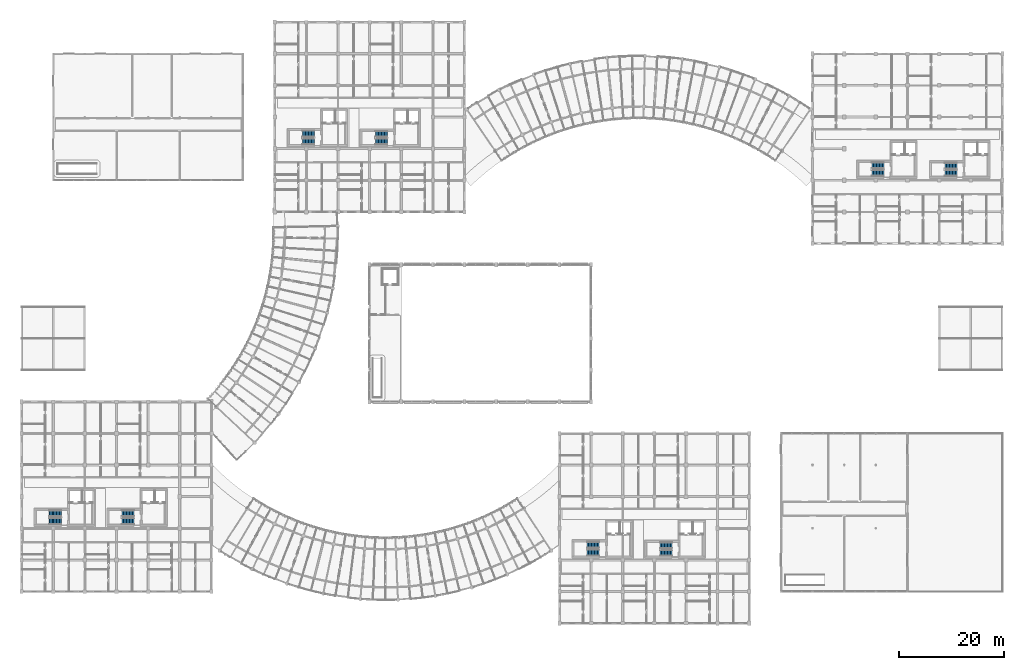
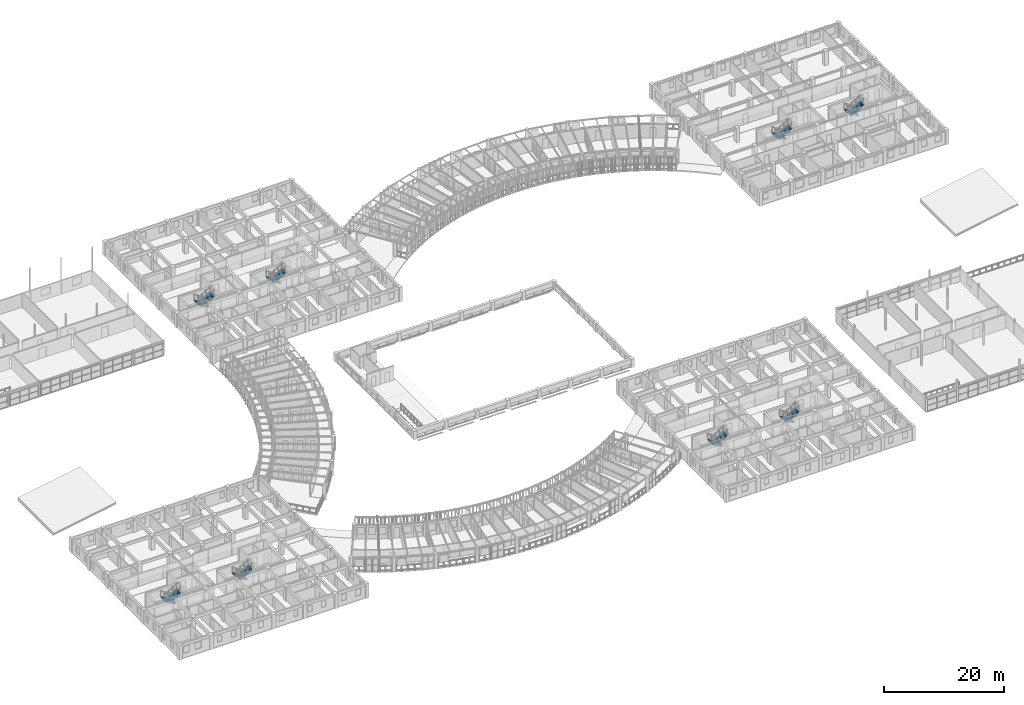
# One storey, part 116 of 137: 16 stair flights, 8 elements without a shape of their own.
"""IFC4 building model written with IfcOpenShell, lengths in metres."""

import ifcopenshell
import ifcopenshell.guid

model = None  # the IFC model being written
_history = None  # IfcOwnerHistory: only IFC2X3 demands one
_inside = {}  # id of a spatial element -> (the spatial element, [elements in it])
_under = {}  # id of a project, library or spatial element -> (it, [spatial elements below it])
_declared = {}  # id of a project -> (the project, [libraries it declares])
_typed = {}  # id of a type object -> (the type object, [elements of that type])
_made_of = {}  # id of a material, layer set ... -> (it, [elements and type objects made of it])


def new_model(schema):
    """Start an empty IFC model of exactly this schema.

    Asked for "IFC4X3", IfcOpenShell would pick the latest addendum, in which some entities
    have other attributes; the version numbers below select the first issue.
    IFC2X3 requires an IfcOwnerHistory on every rooted entity: one is made here for all.
    """
    global model, _history
    if schema == "IFC4X3":
        model = ifcopenshell.file(schema_version=(4, 3, 0, 0))
    else:
        model = ifcopenshell.file(schema=schema)
    _inside.clear()
    _under.clear()
    _declared.clear()
    _typed.clear()
    _made_of.clear()
    _history = None
    if model.schema == "IFC2X3":
        org = make("IfcOrganization", Name="unknown")
        user = make(
            "IfcPersonAndOrganization",
            ThePerson=make("IfcPerson", FamilyName="unknown"),
            TheOrganization=org,
        )
        app = make(
            "IfcApplication",
            ApplicationDeveloper=org,
            Version="unknown",
            ApplicationFullName="unknown",
            ApplicationIdentifier="unknown",
        )
        _history = make(
            "IfcOwnerHistory",
            OwningUser=user,
            OwningApplication=app,
            ChangeAction="ADDED",
            CreationDate=0,
        )
    return model


def make(cls, **values):
    """One entity of the class cls with the attributes given. An attribute that is None is left unset."""
    return model.create_entity(
        cls, **{name: value for name, value in values.items() if value is not None}
    )


def rooted(cls, **values):
    """An entity with a GlobalId (a new one), such as an element, a storey or a relation."""
    return make(cls, GlobalId=ifcopenshell.guid.new(), OwnerHistory=_history, **values)


def si_unit(unit_type, name, prefix=None):
    """IfcSIUnit, for example si_unit("LENGTHUNIT", "METRE", prefix="MILLI")."""
    return make("IfcSIUnit", UnitType=unit_type, Prefix=prefix, Name=name)


def assignment(units):
    """IfcUnitAssignment: the units of a project."""
    return None if units is None else make("IfcUnitAssignment", Units=units)


def point(xyz):
    """IfcCartesianPoint."""
    return None if xyz is None else make("IfcCartesianPoint", Coordinates=xyz)


def direction(xyz):
    """IfcDirection."""
    return None if xyz is None else make("IfcDirection", DirectionRatios=xyz)


def frame(location, z_axis=None, x_axis=None):
    """IfcAxis2Placement3D, a coordinate frame: its origin and axes. An axis left out is left unset."""
    return make(
        "IfcAxis2Placement3D",
        Location=point(location),
        Axis=direction(z_axis),
        RefDirection=direction(x_axis),
    )


def origin():
    """The frame at (0, 0, 0) with its axes left unset."""
    return frame((0.0, 0.0, 0.0))


def place(relative_to, where):
    """IfcLocalPlacement: puts the frame where relative to a parent placement (None: the world)."""
    return make(
        "IfcLocalPlacement", PlacementRelTo=relative_to, RelativePlacement=where
    )


def context(
    kind, dimensions, precision=None, world=None, true_north=None, identifier=None
):
    """IfcGeometricRepresentationContext, for example the 3D "Model" context."""
    return make(
        "IfcGeometricRepresentationContext",
        ContextIdentifier=identifier,
        ContextType=kind,
        CoordinateSpaceDimension=dimensions,
        Precision=precision,
        WorldCoordinateSystem=world,
        TrueNorth=true_north,
    )


def subcontext(parent, identifier, kind, view, scale=None):
    """IfcGeometricRepresentationSubContext, for example "Body" below "Model"."""
    return make(
        "IfcGeometricRepresentationSubContext",
        ContextIdentifier=identifier,
        ContextType=kind,
        ParentContext=parent,
        TargetScale=scale,
        TargetView=view,
    )


def project(units=None, contexts=None):
    """IfcProject with its units and contexts."""
    return rooted(
        "IfcProject",
        Name="project",
        RepresentationContexts=contexts,
        UnitsInContext=assignment(units),
    )


def spatial(cls, under=None, at=None, **own):
    """A site, building, storey or space (cls), placed at a placement, below another one or the project."""
    s = rooted(cls, ObjectPlacement=at, **own)
    if under is not None:
        _under.setdefault(under.id(), (under, []))[1].append(s)
    return s


def polyline(points):
    """IfcPolyline through the points."""
    return make("IfcPolyline", Points=[point(p) for p in points])


def outline(outer, holes=None, kind="AREA"):
    """IfcArbitraryClosedProfileDef: a profile drawn as a closed curve; with holes, ...WithVoids."""
    if holes is None:
        return make("IfcArbitraryClosedProfileDef", ProfileType=kind, OuterCurve=outer)
    return make(
        "IfcArbitraryProfileDefWithVoids",
        ProfileType=kind,
        OuterCurve=outer,
        InnerCurves=holes,
    )


def extrude(swept, where, along, depth):
    """IfcExtrudedAreaSolid: the profile swept, set in the frame where, extruded along a direction by depth."""
    return make(
        "IfcExtrudedAreaSolid",
        SweptArea=swept,
        Position=where,
        ExtrudedDirection=direction(along),
        Depth=depth,
    )


def shape(context_of_items, identifier, shape_type, items):
    """IfcShapeRepresentation: the items that make up one representation, for example the "Body"."""
    return make(
        "IfcShapeRepresentation",
        ContextOfItems=context_of_items,
        RepresentationIdentifier=identifier,
        RepresentationType=shape_type,
        Items=items,
    )


def material(Name=None, Category=None):
    """IfcMaterial."""
    return make("IfcMaterial", Name=Name, Category=Category)


def made_of(thing, what):
    """Note that an element or type object is made of a material, layer set ...; save() writes the relation."""
    if what is not None:
        _made_of.setdefault(what.id(), (what, []))[1].append(thing)
    return thing


def type_object(cls, material=None, **own):
    """A type object (cls), such as IfcWallType, which elements share."""
    return made_of(rooted(cls, **own), material)


def element(
    cls,
    number,
    at=None,
    inside=None,
    cuts=None,
    type_object=None,
    material=None,
    context=None,
    identifier="Body",
    shape_type=None,
    held_by="IfcProductDefinitionShape",
    body=None,
    shapes=None,
    **own,
):
    """One element of the class cls, such as IfcWall. Its Tag is "e" and its number.

    at: its placement. inside: the storey or other place that contains it. cuts: it is an
    opening in that element (IfcRelVoidsElement). A single representation is given by context,
    identifier, shape_type and body (its items); several are given by shapes. held_by: the class
    of the entity that holds the representations. save() writes the other relations.
    """
    e = rooted(cls, Tag="e%d" % number, ObjectPlacement=at, **own)
    if body is not None:
        shapes = [shape(context, identifier, shape_type, body)]
    if shapes is not None:
        e.Representation = make(held_by, Representations=shapes)
    if inside is not None:
        _inside.setdefault(inside.id(), (inside, []))[1].append(e)
    if cuts is not None:
        rooted(
            "IfcRelVoidsElement", RelatingBuildingElement=cuts, RelatedOpeningElement=e
        )
    if type_object is not None:
        _typed.setdefault(type_object.id(), (type_object, []))[1].append(e)
    return made_of(e, material)


def aggregate(whole, parts):
    """IfcRelAggregates: a whole, such as a stair, and the parts it consists of."""
    return rooted("IfcRelAggregates", RelatingObject=whole, RelatedObjects=parts)


def save(model, path):
    """Write the relations noted so far, then the file.

    IfcRelAggregates (storeys below a building ...), IfcRelContainedInSpatialStructure (elements
    in a storey), IfcRelDefinesByType, IfcRelAssociatesMaterial and IfcRelDeclares: one each for
    every whole, place, type object, material and project.
    """
    for whole, parts in _under.values():
        aggregate(whole, parts)
    for where, things in _inside.values():
        rooted(
            "IfcRelContainedInSpatialStructure",
            RelatedElements=things,
            RelatingStructure=where,
        )
    for kind, things in _typed.values():
        rooted("IfcRelDefinesByType", RelatedObjects=things, RelatingType=kind)
    for what, things in _made_of.values():
        rooted("IfcRelAssociatesMaterial", RelatedObjects=things, RelatingMaterial=what)
    for by, libraries in _declared.values():
        rooted("IfcRelDeclares", RelatingContext=by, RelatedDefinitions=libraries)
    model.write(path)


model = new_model("IFC4")

# Units and contexts
model_context = context("Model", 3, precision=1e-05, world=origin(), true_north=direction((0.0, 1.0)))
body_context = subcontext(model_context, "Body", "Model", "MODEL_VIEW")
ifc_project = project(units=[si_unit("LENGTHUNIT", "METRE"), si_unit("AREAUNIT", "SQUARE_METRE"), si_unit("VOLUMEUNIT", "CUBIC_METRE"), si_unit("PLANEANGLEUNIT", "RADIAN"), si_unit("MASSUNIT", "GRAM", prefix="KILO"), si_unit("POWERUNIT", "WATT"), si_unit("THERMODYNAMICTEMPERATUREUNIT", "KELVIN")], contexts=[model_context])

# Site, building, storey
site_placement = place(None, origin())
site = spatial("IfcSite", under=ifc_project, at=site_placement, CompositionType="ELEMENT")
building_placement = place(site_placement, origin())
building = spatial("IfcBuilding", under=site, at=building_placement, Name="Ruvembo Vaulted Housing Court", CompositionType="ELEMENT")
storey_placement = place(building_placement, frame((0.0, 0.0, 4.5)))
storey = spatial("IfcBuildingStorey", under=building, at=storey_placement, Name="L01", CompositionType="ELEMENT", Elevation=4.5)

# Stair, stair flights
ifc_material = material(Name="Concrete C35/45", Category="concrete")
stair_type_1 = type_object("IfcStairType", Name="STR-CORE-1200", PredefinedType="HALF_TURN_STAIR", material=ifc_material)
stair_1_placement = place(storey_placement, origin())
stair_1 = element("IfcStair", 1, at=stair_1_placement, inside=storey, type_object=stair_type_1, Name="L01 Protected Exit Stair ST-B2", PredefinedType="HALF_TURN_STAIR")
stair_flight_type_1 = type_object("IfcStairFlightType", Name="SFL-1200", PredefinedType="STRAIGHT", material=ifc_material)
stair_flight_1_placement = place(storey_placement, frame((69.35009765625, 92.75, 0.0), z_axis=(0.0, 0.0, 1.0), x_axis=(-1.0, 0.0, 0.0)))
stair_flight_1 = element("IfcStairFlight", 2, at=stair_flight_1_placement, type_object=stair_flight_type_1, Name="ST-B2 flight 1", NumberOfRisers=9, NumberOfTreads=8, PredefinedType="STRAIGHT", RiserHeight=0.177777778, TreadLength=0.28, context=body_context, shape_type="SweptSolid", body=[
    extrude(outline(polyline([(-0.02490234375, -0.0400390625), (-0.02490234375, 0.0), (0.0, 0.0), (0.0, 0.177734375), (0.280029296875, 0.177734375), (0.280029296875, 0.35546875), (0.56005859375, 0.35546875), (0.56005859375, 0.533447265625), (0.840087890625, 0.533447265625), (0.840087890625, 0.711181640625), (1.1201171875, 0.711181640625), (1.1201171875, 0.888916015625), (1.39990234375, 0.888916015625), (1.39990234375, 1.066650390625), (1.679931640625, 1.066650390625), (1.679931640625, 1.244384765625), (1.9599609375, 1.244384765625), (1.9599609375, 1.422119140625), (2.239990234375, 1.422119140625), (2.239990234375, 1.60009765625), (2.264892578125, 1.60009765625), (2.264892578125, 1.4501953125), (2.239990234375, 1.24462890625), (0.27978515625, 0.0), (0.0, -0.0400390625), (-0.02490234375, -0.0400390625)])), frame((0.0, 0.60009765625, 0.0), z_axis=(0.0, -1.0, 0.0), x_axis=(1.0, 0.0, 0.0)), (0.0, 0.0, 1.0), 1.199951171875),
])
stair_flight_2_placement = place(storey_placement, frame((67.110107421875, 91.35009765625, 1.60009765625), z_axis=(0.0, 0.0, 1.0), x_axis=(1.0, 0.0, 0.0)))
stair_flight_2 = element("IfcStairFlight", 3, at=stair_flight_2_placement, type_object=stair_flight_type_1, Name="ST-B2 flight 2", NumberOfRisers=9, NumberOfTreads=8, PredefinedType="STRAIGHT", RiserHeight=0.177777778, TreadLength=0.28, context=body_context, shape_type="SweptSolid", body=[
    extrude(outline(polyline([(-0.02490234375, -0.0400390625), (-0.02490234375, 0.0), (0.0, 0.0), (0.0, 0.177734375), (0.280029296875, 0.177734375), (0.280029296875, 0.35546875), (0.56005859375, 0.35546875), (0.56005859375, 0.533447265625), (0.840087890625, 0.533447265625), (0.840087890625, 0.711181640625), (1.1201171875, 0.711181640625), (1.1201171875, 0.888916015625), (1.39990234375, 0.888916015625), (1.39990234375, 1.066650390625), (1.679931640625, 1.066650390625), (1.679931640625, 1.244384765625), (1.9599609375, 1.244384765625), (1.9599609375, 1.422119140625), (2.239990234375, 1.422119140625), (2.239990234375, 1.60009765625), (2.264892578125, 1.60009765625), (2.264892578125, 1.4501953125), (2.239990234375, 1.24462890625), (0.27978515625, 0.0), (0.0, -0.0400390625), (-0.02490234375, -0.0400390625)])), frame((0.0, 0.60009765625, 0.0), z_axis=(0.0, -1.0, 0.0), x_axis=(1.0, 0.0, 0.0)), (0.0, 0.0, 1.0), 1.199951171875),
])
aggregate(stair_1, [stair_flight_1, stair_flight_2])

stair_2_placement = place(storey_placement, origin())
stair_2 = element("IfcStair", 4, at=stair_2_placement, inside=storey, type_object=stair_type_1, Name="L01 Protected Exit Stair ST-C2", PredefinedType="HALF_TURN_STAIR")
stair_flight_3_placement = place(storey_placement, frame((123.35009765625, 14.75, 0.0), z_axis=(0.0, 0.0, 1.0), x_axis=(-1.0, 0.0, 0.0)))
stair_flight_3 = element("IfcStairFlight", 5, at=stair_flight_3_placement, type_object=stair_flight_type_1, Name="ST-C2 flight 1", NumberOfRisers=9, NumberOfTreads=8, PredefinedType="STRAIGHT", RiserHeight=0.177777778, TreadLength=0.28, context=body_context, shape_type="SweptSolid", body=[
    extrude(outline(polyline([(-0.02490234375, -0.0400390625), (-0.02490234375, 0.0), (0.0, 0.0), (0.0, 0.177734375), (0.280029296875, 0.177734375), (0.280029296875, 0.35546875), (0.56005859375, 0.35546875), (0.56005859375, 0.533447265625), (0.840087890625, 0.533447265625), (0.840087890625, 0.711181640625), (1.1201171875, 0.711181640625), (1.1201171875, 0.888916015625), (1.39990234375, 0.888916015625), (1.39990234375, 1.066650390625), (1.679931640625, 1.066650390625), (1.679931640625, 1.244384765625), (1.9599609375, 1.244384765625), (1.9599609375, 1.422119140625), (2.239990234375, 1.422119140625), (2.239990234375, 1.60009765625), (2.264892578125, 1.60009765625), (2.264892578125, 1.4501953125), (2.239990234375, 1.24462890625), (0.27978515625, 0.0), (0.0, -0.0400390625), (-0.02490234375, -0.0400390625)])), frame((0.0, 0.60009765625, 0.0), z_axis=(0.0, -1.0, 0.0), x_axis=(1.0, 0.0, 0.0)), (0.0, 0.0, 1.0), 1.199951171875),
])
stair_flight_4_placement = place(storey_placement, frame((121.110107421875, 13.35009765625, 1.60009765625), z_axis=(0.0, 0.0, 1.0), x_axis=(1.0, 0.0, 0.0)))
stair_flight_4 = element("IfcStairFlight", 6, at=stair_flight_4_placement, type_object=stair_flight_type_1, Name="ST-C2 flight 2", NumberOfRisers=9, NumberOfTreads=8, PredefinedType="STRAIGHT", RiserHeight=0.177777778, TreadLength=0.28, context=body_context, shape_type="SweptSolid", body=[
    extrude(outline(polyline([(-0.02490234375, -0.0400390625), (-0.02490234375, 0.0), (0.0, 0.0), (0.0, 0.177734375), (0.280029296875, 0.177734375), (0.280029296875, 0.35546875), (0.56005859375, 0.35546875), (0.56005859375, 0.533447265625), (0.840087890625, 0.533447265625), (0.840087890625, 0.711181640625), (1.1201171875, 0.711181640625), (1.1201171875, 0.888916015625), (1.39990234375, 0.888916015625), (1.39990234375, 1.066650390625), (1.679931640625, 1.066650390625), (1.679931640625, 1.244384765625), (1.9599609375, 1.244384765625), (1.9599609375, 1.422119140625), (2.239990234375, 1.422119140625), (2.239990234375, 1.60009765625), (2.264892578125, 1.60009765625), (2.264892578125, 1.4501953125), (2.239990234375, 1.24462890625), (0.27978515625, 0.0), (0.0, -0.0400390625), (-0.02490234375, -0.0400390625)])), frame((0.0, 0.60009765625, 0.0), z_axis=(0.0, -1.0, 0.0), x_axis=(1.0, 0.0, 0.0)), (0.0, 0.0, 1.0), 1.199951171875),
])
aggregate(stair_2, [stair_flight_3, stair_flight_4])

stair_3_placement = place(storey_placement, origin())
stair_3 = element("IfcStair", 7, at=stair_3_placement, inside=storey, type_object=stair_type_1, Name="L01 Protected Exit Stair ST-D2", PredefinedType="HALF_TURN_STAIR")
stair_flight_5_placement = place(storey_placement, frame((177.35009765625, 86.75, 0.0), z_axis=(0.0, 0.0, 1.0), x_axis=(-1.0, 0.0, 0.0)))
stair_flight_5 = element("IfcStairFlight", 8, at=stair_flight_5_placement, type_object=stair_flight_type_1, Name="ST-D2 flight 1", NumberOfRisers=9, NumberOfTreads=8, PredefinedType="STRAIGHT", RiserHeight=0.177777778, TreadLength=0.28, context=body_context, shape_type="SweptSolid", body=[
    extrude(outline(polyline([(-0.02490234375, -0.0400390625), (-0.02490234375, 0.0), (0.0, 0.0), (0.0, 0.177734375), (0.280029296875, 0.177734375), (0.280029296875, 0.35546875), (0.56005859375, 0.35546875), (0.56005859375, 0.533447265625), (0.840087890625, 0.533447265625), (0.840087890625, 0.711181640625), (1.1201171875, 0.711181640625), (1.1201171875, 0.888916015625), (1.39990234375, 0.888916015625), (1.39990234375, 1.066650390625), (1.679931640625, 1.066650390625), (1.679931640625, 1.244384765625), (1.9599609375, 1.244384765625), (1.9599609375, 1.422119140625), (2.239990234375, 1.422119140625), (2.239990234375, 1.60009765625), (2.264892578125, 1.60009765625), (2.264892578125, 1.4501953125), (2.239990234375, 1.24462890625), (0.27978515625, 0.0), (0.0, -0.0400390625), (-0.02490234375, -0.0400390625)])), frame((0.0, 0.60009765625, 0.0), z_axis=(0.0, -1.0, 0.0), x_axis=(1.0, 0.0, 0.0)), (0.0, 0.0, 1.0), 1.199951171875),
])
stair_flight_6_placement = place(storey_placement, frame((175.110107421875, 85.35009765625, 1.60009765625), z_axis=(0.0, 0.0, 1.0), x_axis=(1.0, 0.0, 0.0)))
stair_flight_6 = element("IfcStairFlight", 9, at=stair_flight_6_placement, type_object=stair_flight_type_1, Name="ST-D2 flight 2", NumberOfRisers=9, NumberOfTreads=8, PredefinedType="STRAIGHT", RiserHeight=0.177777778, TreadLength=0.28, context=body_context, shape_type="SweptSolid", body=[
    extrude(outline(polyline([(-0.02490234375, -0.0400390625), (-0.02490234375, 0.0), (0.0, 0.0), (0.0, 0.177734375), (0.280029296875, 0.177734375), (0.280029296875, 0.35546875), (0.56005859375, 0.35546875), (0.56005859375, 0.533447265625), (0.840087890625, 0.533447265625), (0.840087890625, 0.711181640625), (1.1201171875, 0.711181640625), (1.1201171875, 0.888916015625), (1.39990234375, 0.888916015625), (1.39990234375, 1.066650390625), (1.679931640625, 1.066650390625), (1.679931640625, 1.244384765625), (1.9599609375, 1.244384765625), (1.9599609375, 1.422119140625), (2.239990234375, 1.422119140625), (2.239990234375, 1.60009765625), (2.264892578125, 1.60009765625), (2.264892578125, 1.4501953125), (2.239990234375, 1.24462890625), (0.27978515625, 0.0), (0.0, -0.0400390625), (-0.02490234375, -0.0400390625)])), frame((0.0, 0.60009765625, 0.0), z_axis=(0.0, -1.0, 0.0), x_axis=(1.0, 0.0, 0.0)), (0.0, 0.0, 1.0), 1.199951171875),
])
aggregate(stair_3, [stair_flight_5, stair_flight_6])

stair_type_2 = type_object("IfcStairType", Name="STR-CORE-1250", PredefinedType="HALF_TURN_STAIR", material=ifc_material)
stair_4_placement = place(storey_placement, origin())
stair_4 = element("IfcStair", 10, at=stair_4_placement, inside=storey, type_object=stair_type_2, Name="L01 Protected Exit Stair ST-A1", PredefinedType="HALF_TURN_STAIR")
stair_flight_type_2 = type_object("IfcStairFlightType", Name="SFL-1250", PredefinedType="STRAIGHT", material=ifc_material)
stair_flight_7_placement = place(storey_placement, frame((7.5, 20.824951171875, 0.0), z_axis=(0.0, 0.0, 1.0), x_axis=(-1.0, 0.0, 0.0)))
stair_flight_7 = element("IfcStairFlight", 11, at=stair_flight_7_placement, type_object=stair_flight_type_2, Name="ST-A1 flight 1", NumberOfRisers=9, NumberOfTreads=8, PredefinedType="STRAIGHT", RiserHeight=0.177777778, TreadLength=0.28, context=body_context, shape_type="SweptSolid", body=[
    extrude(outline(polyline([(-0.02490234375, -0.0400390625), (-0.02490234375, 0.0), (0.0, 0.0), (0.0, 0.177734375), (0.280029296875, 0.177734375), (0.280029296875, 0.35546875), (0.56005859375, 0.35546875), (0.56005859375, 0.533447265625), (0.840087890625, 0.533447265625), (0.840087890625, 0.711181640625), (1.1201171875, 0.711181640625), (1.1201171875, 0.888916015625), (1.39990234375, 0.888916015625), (1.39990234375, 1.066650390625), (1.679931640625, 1.066650390625), (1.679931640625, 1.244384765625), (1.9599609375, 1.244384765625), (1.9599609375, 1.422119140625), (2.239990234375, 1.422119140625), (2.239990234375, 1.60009765625), (2.264892578125, 1.60009765625), (2.264892578125, 1.4501953125), (2.239990234375, 1.24462890625), (0.27978515625, 0.0), (0.0, -0.0400390625), (-0.02490234375, -0.0400390625)])), frame((0.0, 0.625, 0.0), z_axis=(0.0, -1.0, 0.0), x_axis=(1.0, 0.0, 0.0)), (0.0, 0.0, 1.0), 1.25),
])
stair_flight_8_placement = place(storey_placement, frame((5.260009765625, 19.375, 1.60009765625), z_axis=(0.0, 0.0, 1.0), x_axis=(1.0, 0.0, 0.0)))
stair_flight_8 = element("IfcStairFlight", 12, at=stair_flight_8_placement, type_object=stair_flight_type_2, Name="ST-A1 flight 2", NumberOfRisers=9, NumberOfTreads=8, PredefinedType="STRAIGHT", RiserHeight=0.177777778, TreadLength=0.28, context=body_context, shape_type="SweptSolid", body=[
    extrude(outline(polyline([(-0.02490234375, -0.0400390625), (-0.02490234375, 0.0), (0.0, 0.0), (0.0, 0.177734375), (0.280029296875, 0.177734375), (0.280029296875, 0.35546875), (0.56005859375, 0.35546875), (0.56005859375, 0.533447265625), (0.840087890625, 0.533447265625), (0.840087890625, 0.711181640625), (1.1201171875, 0.711181640625), (1.1201171875, 0.888916015625), (1.39990234375, 0.888916015625), (1.39990234375, 1.066650390625), (1.679931640625, 1.066650390625), (1.679931640625, 1.244384765625), (1.9599609375, 1.244384765625), (1.9599609375, 1.422119140625), (2.239990234375, 1.422119140625), (2.239990234375, 1.60009765625), (2.264892578125, 1.60009765625), (2.264892578125, 1.4501953125), (2.239990234375, 1.24462890625), (0.27978515625, 0.0), (0.0, -0.0400390625), (-0.02490234375, -0.0400390625)])), frame((0.0, 0.625, 0.0), z_axis=(0.0, -1.0, 0.0), x_axis=(1.0, 0.0, 0.0)), (0.0, 0.0, 1.0), 1.25),
])
aggregate(stair_4, [stair_flight_7, stair_flight_8])

stair_5_placement = place(storey_placement, origin())
stair_5 = element("IfcStair", 13, at=stair_5_placement, inside=storey, type_object=stair_type_2, Name="L01 Protected Exit Stair ST-A2", PredefinedType="HALF_TURN_STAIR")
stair_flight_9_placement = place(storey_placement, frame((21.300048828125, 20.824951171875, 0.0), z_axis=(0.0, 0.0, 1.0), x_axis=(-1.0, 0.0, 0.0)))
stair_flight_9 = element("IfcStairFlight", 14, at=stair_flight_9_placement, type_object=stair_flight_type_2, Name="ST-A2 flight 1", NumberOfRisers=9, NumberOfTreads=8, PredefinedType="STRAIGHT", RiserHeight=0.177777778, TreadLength=0.28, context=body_context, shape_type="SweptSolid", body=[
    extrude(outline(polyline([(-0.02490234375, -0.0400390625), (-0.02490234375, 0.0), (0.0, 0.0), (0.0, 0.177734375), (0.280029296875, 0.177734375), (0.280029296875, 0.35546875), (0.56005859375, 0.35546875), (0.56005859375, 0.533447265625), (0.840087890625, 0.533447265625), (0.840087890625, 0.711181640625), (1.1201171875, 0.711181640625), (1.1201171875, 0.888916015625), (1.39990234375, 0.888916015625), (1.39990234375, 1.066650390625), (1.679931640625, 1.066650390625), (1.679931640625, 1.244384765625), (1.9599609375, 1.244384765625), (1.9599609375, 1.422119140625), (2.239990234375, 1.422119140625), (2.239990234375, 1.60009765625), (2.264892578125, 1.60009765625), (2.264892578125, 1.4501953125), (2.239990234375, 1.24462890625), (0.27978515625, 0.0), (0.0, -0.0400390625), (-0.02490234375, -0.0400390625)])), frame((0.0, 0.625, 0.0), z_axis=(0.0, -1.0, 0.0), x_axis=(1.0, 0.0, 0.0)), (0.0, 0.0, 1.0), 1.25),
])
stair_flight_10_placement = place(storey_placement, frame((19.06005859375, 19.375, 1.60009765625), z_axis=(0.0, 0.0, 1.0), x_axis=(1.0, 0.0, 0.0)))
stair_flight_10 = element("IfcStairFlight", 15, at=stair_flight_10_placement, type_object=stair_flight_type_2, Name="ST-A2 flight 2", NumberOfRisers=9, NumberOfTreads=8, PredefinedType="STRAIGHT", RiserHeight=0.177777778, TreadLength=0.28, context=body_context, shape_type="SweptSolid", body=[
    extrude(outline(polyline([(-0.02490234375, -0.0400390625), (-0.02490234375, 0.0), (0.0, 0.0), (0.0, 0.177734375), (0.280029296875, 0.177734375), (0.280029296875, 0.35546875), (0.56005859375, 0.35546875), (0.56005859375, 0.533447265625), (0.840087890625, 0.533447265625), (0.840087890625, 0.711181640625), (1.1201171875, 0.711181640625), (1.1201171875, 0.888916015625), (1.39990234375, 0.888916015625), (1.39990234375, 1.066650390625), (1.679931640625, 1.066650390625), (1.679931640625, 1.244384765625), (1.9599609375, 1.244384765625), (1.9599609375, 1.422119140625), (2.239990234375, 1.422119140625), (2.239990234375, 1.60009765625), (2.264892578125, 1.60009765625), (2.264892578125, 1.4501953125), (2.239990234375, 1.24462890625), (0.27978515625, 0.0), (0.0, -0.0400390625), (-0.02490234375, -0.0400390625)])), frame((0.0, 0.625, 0.0), z_axis=(0.0, -1.0, 0.0), x_axis=(1.0, 0.0, 0.0)), (0.0, 0.0, 1.0), 1.25),
])
aggregate(stair_5, [stair_flight_9, stair_flight_10])

stair_6_placement = place(storey_placement, origin())
stair_6 = element("IfcStair", 16, at=stair_6_placement, inside=storey, type_object=stair_type_2, Name="L01 Protected Exit Stair ST-B1", PredefinedType="HALF_TURN_STAIR")
stair_flight_11_placement = place(storey_placement, frame((55.5, 92.824951171875, 0.0), z_axis=(0.0, 0.0, 1.0), x_axis=(-1.0, 0.0, 0.0)))
stair_flight_11 = element("IfcStairFlight", 17, at=stair_flight_11_placement, type_object=stair_flight_type_2, Name="ST-B1 flight 1", NumberOfRisers=9, NumberOfTreads=8, PredefinedType="STRAIGHT", RiserHeight=0.177777778, TreadLength=0.28, context=body_context, shape_type="SweptSolid", body=[
    extrude(outline(polyline([(-0.02490234375, -0.0400390625), (-0.02490234375, 0.0), (0.0, 0.0), (0.0, 0.177734375), (0.280029296875, 0.177734375), (0.280029296875, 0.35546875), (0.56005859375, 0.35546875), (0.56005859375, 0.533447265625), (0.840087890625, 0.533447265625), (0.840087890625, 0.711181640625), (1.1201171875, 0.711181640625), (1.1201171875, 0.888916015625), (1.39990234375, 0.888916015625), (1.39990234375, 1.066650390625), (1.679931640625, 1.066650390625), (1.679931640625, 1.244384765625), (1.9599609375, 1.244384765625), (1.9599609375, 1.422119140625), (2.239990234375, 1.422119140625), (2.239990234375, 1.60009765625), (2.264892578125, 1.60009765625), (2.264892578125, 1.4501953125), (2.239990234375, 1.24462890625), (0.27978515625, 0.0), (0.0, -0.0400390625), (-0.02490234375, -0.0400390625)])), frame((0.0, 0.625, 0.0), z_axis=(0.0, -1.0, 0.0), x_axis=(1.0, 0.0, 0.0)), (0.0, 0.0, 1.0), 1.25),
])
stair_flight_12_placement = place(storey_placement, frame((53.260009765625, 91.375, 1.60009765625), z_axis=(0.0, 0.0, 1.0), x_axis=(1.0, 0.0, 0.0)))
stair_flight_12 = element("IfcStairFlight", 18, at=stair_flight_12_placement, type_object=stair_flight_type_2, Name="ST-B1 flight 2", NumberOfRisers=9, NumberOfTreads=8, PredefinedType="STRAIGHT", RiserHeight=0.177777778, TreadLength=0.28, context=body_context, shape_type="SweptSolid", body=[
    extrude(outline(polyline([(-0.02490234375, -0.0400390625), (-0.02490234375, 0.0), (0.0, 0.0), (0.0, 0.177734375), (0.280029296875, 0.177734375), (0.280029296875, 0.35546875), (0.56005859375, 0.35546875), (0.56005859375, 0.533447265625), (0.840087890625, 0.533447265625), (0.840087890625, 0.711181640625), (1.1201171875, 0.711181640625), (1.1201171875, 0.888916015625), (1.39990234375, 0.888916015625), (1.39990234375, 1.066650390625), (1.679931640625, 1.066650390625), (1.679931640625, 1.244384765625), (1.9599609375, 1.244384765625), (1.9599609375, 1.422119140625), (2.239990234375, 1.422119140625), (2.239990234375, 1.60009765625), (2.264892578125, 1.60009765625), (2.264892578125, 1.4501953125), (2.239990234375, 1.24462890625), (0.27978515625, 0.0), (0.0, -0.0400390625), (-0.02490234375, -0.0400390625)])), frame((0.0, 0.625, 0.0), z_axis=(0.0, -1.0, 0.0), x_axis=(1.0, 0.0, 0.0)), (0.0, 0.0, 1.0), 1.25),
])
aggregate(stair_6, [stair_flight_11, stair_flight_12])

stair_7_placement = place(storey_placement, origin())
stair_7 = element("IfcStair", 19, at=stair_7_placement, inside=storey, type_object=stair_type_2, Name="L01 Protected Exit Stair ST-C1", PredefinedType="HALF_TURN_STAIR")
stair_flight_13_placement = place(storey_placement, frame((109.5, 14.824951171875, 0.0), z_axis=(0.0, 0.0, 1.0), x_axis=(-1.0, 0.0, 0.0)))
stair_flight_13 = element("IfcStairFlight", 20, at=stair_flight_13_placement, type_object=stair_flight_type_2, Name="ST-C1 flight 1", NumberOfRisers=9, NumberOfTreads=8, PredefinedType="STRAIGHT", RiserHeight=0.177777778, TreadLength=0.28, context=body_context, shape_type="SweptSolid", body=[
    extrude(outline(polyline([(-0.02490234375, -0.0400390625), (-0.02490234375, 0.0), (0.0, 0.0), (0.0, 0.177734375), (0.280029296875, 0.177734375), (0.280029296875, 0.35546875), (0.56005859375, 0.35546875), (0.56005859375, 0.533447265625), (0.840087890625, 0.533447265625), (0.840087890625, 0.711181640625), (1.1201171875, 0.711181640625), (1.1201171875, 0.888916015625), (1.39990234375, 0.888916015625), (1.39990234375, 1.066650390625), (1.679931640625, 1.066650390625), (1.679931640625, 1.244384765625), (1.9599609375, 1.244384765625), (1.9599609375, 1.422119140625), (2.239990234375, 1.422119140625), (2.239990234375, 1.60009765625), (2.264892578125, 1.60009765625), (2.264892578125, 1.4501953125), (2.239990234375, 1.24462890625), (0.27978515625, 0.0), (0.0, -0.0400390625), (-0.02490234375, -0.0400390625)])), frame((0.0, 0.625, 0.0), z_axis=(0.0, -1.0, 0.0), x_axis=(1.0, 0.0, 0.0)), (0.0, 0.0, 1.0), 1.25),
])
stair_flight_14_placement = place(storey_placement, frame((107.260009765625, 13.375, 1.60009765625), z_axis=(0.0, 0.0, 1.0), x_axis=(1.0, 0.0, 0.0)))
stair_flight_14 = element("IfcStairFlight", 21, at=stair_flight_14_placement, type_object=stair_flight_type_2, Name="ST-C1 flight 2", NumberOfRisers=9, NumberOfTreads=8, PredefinedType="STRAIGHT", RiserHeight=0.177777778, TreadLength=0.28, context=body_context, shape_type="SweptSolid", body=[
    extrude(outline(polyline([(-0.02490234375, -0.0400390625), (-0.02490234375, 0.0), (0.0, 0.0), (0.0, 0.177734375), (0.280029296875, 0.177734375), (0.280029296875, 0.35546875), (0.56005859375, 0.35546875), (0.56005859375, 0.533447265625), (0.840087890625, 0.533447265625), (0.840087890625, 0.711181640625), (1.1201171875, 0.711181640625), (1.1201171875, 0.888916015625), (1.39990234375, 0.888916015625), (1.39990234375, 1.066650390625), (1.679931640625, 1.066650390625), (1.679931640625, 1.244384765625), (1.9599609375, 1.244384765625), (1.9599609375, 1.422119140625), (2.239990234375, 1.422119140625), (2.239990234375, 1.60009765625), (2.264892578125, 1.60009765625), (2.264892578125, 1.4501953125), (2.239990234375, 1.24462890625), (0.27978515625, 0.0), (0.0, -0.0400390625), (-0.02490234375, -0.0400390625)])), frame((0.0, 0.625, 0.0), z_axis=(0.0, -1.0, 0.0), x_axis=(1.0, 0.0, 0.0)), (0.0, 0.0, 1.0), 1.25),
])
aggregate(stair_7, [stair_flight_13, stair_flight_14])

stair_8_placement = place(storey_placement, origin())
stair_8 = element("IfcStair", 22, at=stair_8_placement, inside=storey, type_object=stair_type_2, Name="L01 Protected Exit Stair ST-D1", PredefinedType="HALF_TURN_STAIR")
stair_flight_15_placement = place(storey_placement, frame((163.5, 86.824951171875, 0.0), z_axis=(0.0, 0.0, 1.0), x_axis=(-1.0, 0.0, 0.0)))
stair_flight_15 = element("IfcStairFlight", 23, at=stair_flight_15_placement, type_object=stair_flight_type_2, Name="ST-D1 flight 1", NumberOfRisers=9, NumberOfTreads=8, PredefinedType="STRAIGHT", RiserHeight=0.177777778, TreadLength=0.28, context=body_context, shape_type="SweptSolid", body=[
    extrude(outline(polyline([(-0.02490234375, -0.0400390625), (-0.02490234375, 0.0), (0.0, 0.0), (0.0, 0.177734375), (0.280029296875, 0.177734375), (0.280029296875, 0.35546875), (0.56005859375, 0.35546875), (0.56005859375, 0.533447265625), (0.840087890625, 0.533447265625), (0.840087890625, 0.711181640625), (1.1201171875, 0.711181640625), (1.1201171875, 0.888916015625), (1.39990234375, 0.888916015625), (1.39990234375, 1.066650390625), (1.679931640625, 1.066650390625), (1.679931640625, 1.244384765625), (1.9599609375, 1.244384765625), (1.9599609375, 1.422119140625), (2.239990234375, 1.422119140625), (2.239990234375, 1.60009765625), (2.264892578125, 1.60009765625), (2.264892578125, 1.4501953125), (2.239990234375, 1.24462890625), (0.27978515625, 0.0), (0.0, -0.0400390625), (-0.02490234375, -0.0400390625)])), frame((0.0, 0.625, 0.0), z_axis=(0.0, -1.0, 0.0), x_axis=(1.0, 0.0, 0.0)), (0.0, 0.0, 1.0), 1.25),
])
stair_flight_16_placement = place(storey_placement, frame((161.260009765625, 85.375, 1.60009765625), z_axis=(0.0, 0.0, 1.0), x_axis=(1.0, 0.0, 0.0)))
stair_flight_16 = element("IfcStairFlight", 24, at=stair_flight_16_placement, type_object=stair_flight_type_2, Name="ST-D1 flight 2", NumberOfRisers=9, NumberOfTreads=8, PredefinedType="STRAIGHT", RiserHeight=0.177777778, TreadLength=0.28, context=body_context, shape_type="SweptSolid", body=[
    extrude(outline(polyline([(-0.02490234375, -0.0400390625), (-0.02490234375, 0.0), (0.0, 0.0), (0.0, 0.177734375), (0.280029296875, 0.177734375), (0.280029296875, 0.35546875), (0.56005859375, 0.35546875), (0.56005859375, 0.533447265625), (0.840087890625, 0.533447265625), (0.840087890625, 0.711181640625), (1.1201171875, 0.711181640625), (1.1201171875, 0.888916015625), (1.39990234375, 0.888916015625), (1.39990234375, 1.066650390625), (1.679931640625, 1.066650390625), (1.679931640625, 1.244384765625), (1.9599609375, 1.244384765625), (1.9599609375, 1.422119140625), (2.239990234375, 1.422119140625), (2.239990234375, 1.60009765625), (2.264892578125, 1.60009765625), (2.264892578125, 1.4501953125), (2.239990234375, 1.24462890625), (0.27978515625, 0.0), (0.0, -0.0400390625), (-0.02490234375, -0.0400390625)])), frame((0.0, 0.625, 0.0), z_axis=(0.0, -1.0, 0.0), x_axis=(1.0, 0.0, 0.0)), (0.0, 0.0, 1.0), 1.25),
])
aggregate(stair_8, [stair_flight_15, stair_flight_16])

save(model, "model.ifc")
